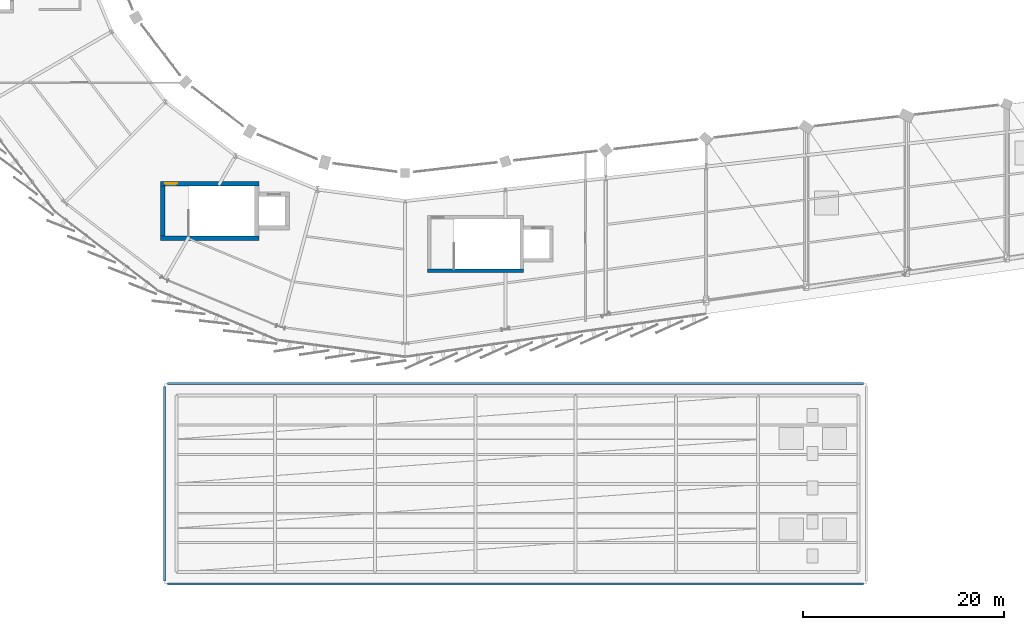
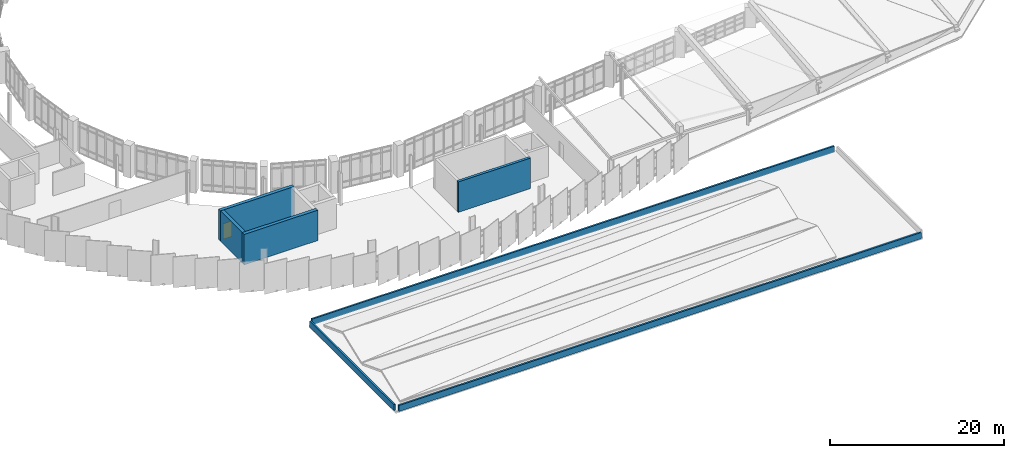
# One storey, part 60 of 67: 7 walls, 1 door, 1 opening.
"""IFC4 building model written with IfcOpenShell, lengths in metres."""

from ifc_helpers import new_model, si_unit, direction, frame, frame_2d, origin, place, context, subcontext, project, spatial, rectangle, extrude, material, layer, layer_set, type_object, element, fill, save


model = new_model("IFC4")

# Units and contexts
model_context = context("Model", 3, precision=1e-05, world=origin(), true_north=direction((0.0, 1.0)))
body_context = subcontext(model_context, "Body", "Model", "MODEL_VIEW")
ifc_project = project(units=[si_unit("LENGTHUNIT", "METRE"), si_unit("AREAUNIT", "SQUARE_METRE"), si_unit("VOLUMEUNIT", "CUBIC_METRE"), si_unit("PLANEANGLEUNIT", "RADIAN"), si_unit("MASSUNIT", "GRAM", prefix="KILO")], contexts=[model_context])

# Site, building, storey
site_placement = place(None, origin())
site = spatial("IfcSite", under=ifc_project, at=site_placement, CompositionType="ELEMENT")
building_placement = place(site_placement, origin())
building = spatial("IfcBuilding", under=site, at=building_placement, Name="Sohan Crest Arena", CompositionType="ELEMENT")
storey_placement = place(building_placement, frame((0.0, 0.0, 22.5)))
storey = spatial("IfcBuildingStorey", under=building, at=storey_placement, Name="L05", CompositionType="ELEMENT", Elevation=22.5)

# Walls
ifc_material_1 = material(Name="Margalla stone coping parapet wall", Category="masonry")
ifc_layer_1 = layer(ifc_material_1, 0.22998046875, Name="Margalla stone coping parapet wall")
ifc_layer_set_1 = layer_set([ifc_layer_1], Name="Margalla stone coping parapet wall")
wall_type_1 = type_object("IfcWallType", Name="WAL-PP02", PredefinedType="PARAPET", material=ifc_layer_set_1)
for number, where, z_axis, x_axis, name in (
    (1, (74.300048828125, 6.0, 0.0), (0.0, 0.0, 1.0), (1.0, 0.0, 0.0), "Stone coping roof parapet PP-12"),
    (2, (74.300048828125, 26.0, 0.0), (0.0, 0.0, 1.0), (1.0, 0.0, 0.0), "Stone coping roof parapet PP-13"),
):
    element("IfcWall", number, at=place(storey_placement, frame(where, z_axis=z_axis, x_axis=x_axis)), inside=storey, type_object=wall_type_1, Name=name, PredefinedType="PARAPET", context=body_context, shape_type="SweptSolid", body=[
        extrude(rectangle(XDim=69.39990234375, YDim=0.22998046875, at=frame_2d((34.699951171875, 0.0))), origin(), (0.0, 0.0, 1.0), 0.85009765625),
    ])
wall_1_placement = place(storey_placement, frame((74.0, 6.300048828125, 0.0), z_axis=(0.0, 0.0, 1.0), x_axis=(0.0, 1.0, 0.0)))
element("IfcWall", 3, at=wall_1_placement, inside=storey, type_object=wall_type_1, Name="Stone coping roof parapet PP-14", PredefinedType="PARAPET", context=body_context, shape_type="SweptSolid", body=[
    extrude(rectangle(XDim=19.39990234375, YDim=0.22998046875, at=frame_2d((9.699951171875, 0.0))), origin(), (0.0, 0.0, 1.0), 0.85009765625),
])
ifc_material_2 = material(Name="Concrete C40/50", Category="concrete")
ifc_layer_2 = layer(ifc_material_2, 0.35009765625, Name="Concrete C40/50")
ifc_layer_set_2 = layer_set([ifc_layer_2], Name="Concrete C40/50")
wall_type_2 = type_object("IfcWallType", Name="WAL-SW02", PredefinedType="SHEAR", material=ifc_layer_set_2)
wall_2_placement = place(storey_placement, frame((100.199951171875, 37.22509765625, 0.0), z_axis=(0.0, 0.0, 1.0), x_axis=(1.0, 0.0, 0.0)))
element("IfcWall", 4, at=wall_2_placement, inside=storey, type_object=wall_type_2, Name="Core shear wall SW-0280", PredefinedType="SHEAR", context=body_context, shape_type="SweptSolid", body=[
    extrude(rectangle(XDim=9.60009765625, YDim=0.35009765625, at=frame_2d((4.800048828125, 0.0))), origin(), (0.0, 0.0, 1.0), 4.280029296875),
])
ifc_layer_3 = layer(ifc_material_2, 0.449951171875, Name="Concrete C40/50")
ifc_layer_set_3 = layer_set([ifc_layer_3], Name="Concrete C40/50")
wall_type_3 = type_object("IfcWallType", Name="WAL-SW04", PredefinedType="SHEAR", material=ifc_layer_set_3)
wall_3_placement = place(storey_placement, frame((73.824951171875, 40.699951171875, 0.0), z_axis=(0.0, 0.0, 1.0), x_axis=(0.0, 1.0, 0.0)))
element("IfcWall", 5, at=wall_3_placement, inside=storey, type_object=wall_type_3, Name="Core shear wall SW-0183", PredefinedType="SHEAR", context=body_context, shape_type="SweptSolid", body=[
    extrude(rectangle(XDim=5.0, YDim=0.449951171875, at=frame_2d((2.5, 0.0))), origin(), (0.0, 0.0, 1.0), 4.280029296875),
])
wall_4_placement = place(storey_placement, frame((73.60009765625, 40.47509765625, 0.0), z_axis=(0.0, 0.0, 1.0), x_axis=(1.0, 0.0, 0.0)))
element("IfcWall", 6, at=wall_4_placement, inside=storey, type_object=wall_type_3, Name="Core shear wall SW-0185", PredefinedType="SHEAR", context=body_context, shape_type="SweptSolid", body=[
    extrude(rectangle(XDim=9.7998046875, YDim=0.449951171875, at=frame_2d((4.89990234375, 0.0))), origin(), (0.0, 0.0, 1.0), 4.280029296875),
])

# Wall, opening, door
wall_5_placement = place(storey_placement, frame((73.60009765625, 45.925048828125, 0.0), z_axis=(0.0, 0.0, 1.0), x_axis=(1.0, 0.0, 0.0)))
wall_5 = element("IfcWall", 7, at=wall_5_placement, inside=storey, type_object=wall_type_3, Name="Core shear wall SW-0186", PredefinedType="SHEAR", context=body_context, shape_type="SweptSolid", body=[
    extrude(rectangle(XDim=9.7998046875, YDim=0.449951171875, at=frame_2d((4.89990234375, 0.0))), origin(), (0.0, 0.0, 1.0), 4.280029296875),
])
opening_placement = place(wall_5_placement, frame((0.449951171875, 0.0, 0.0)))
opening = element("IfcOpeningElement", 8, at=opening_placement, cuts=wall_5, Name="Opening SD-0055", PredefinedType="OPENING", context=body_context, shape_type="SweptSolid", body=[
    extrude(rectangle(XDim=1.199951171875, YDim=2.199951171875, at=frame_2d((0.60009765625, 1.10009765625))), frame((0.0, 0.23486328125, 0.0), z_axis=(0.0, -1.0, 0.0), x_axis=(1.0, 0.0, 0.0)), (0.0, 0.0, 1.0), 0.469970703125),
])
ifc_material_3 = material(Name="Fire-rated steel stair and lobby door", Category="steel")
door_type = type_object("IfcDoorType", Name="DR-FD04", OperationType="NOTDEFINED", PredefinedType="DOOR", material=ifc_material_3)
door_placement = place(opening_placement, origin())
door = element("IfcDoor", 9, at=door_placement, inside=storey, type_object=door_type, Name="Protected stair door SD-0055", OperationType="SINGLE_SWING_LEFT", OverallHeight=2.199951171875, OverallWidth=1.199951171875, PredefinedType="DOOR", context=body_context, shape_type="SweptSolid", body=[
    extrude(rectangle(XDim=1.199951171875, YDim=2.199951171875, at=frame_2d((0.60009765625, 1.10009765625))), frame((0.0, 0.02490234375, 0.0), z_axis=(0.0, -1.0, 0.0), x_axis=(1.0, 0.0, 0.0)), (0.0, 0.0, 1.0), 0.050048828125),
])
fill(opening, door)

save(model, "model.ifc")
